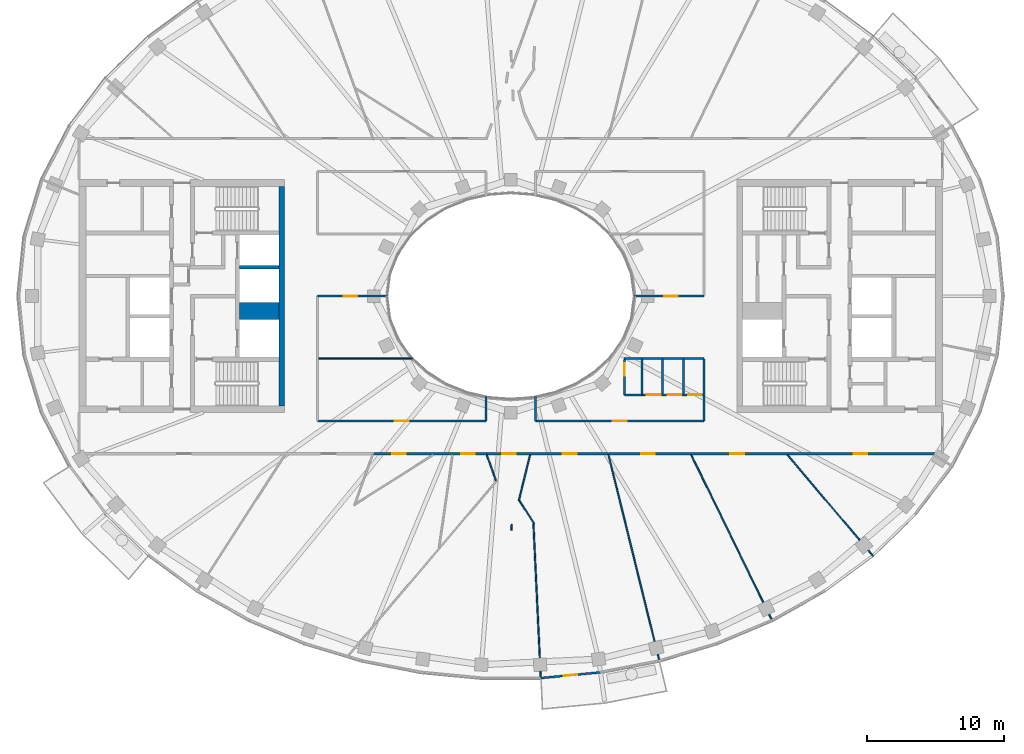
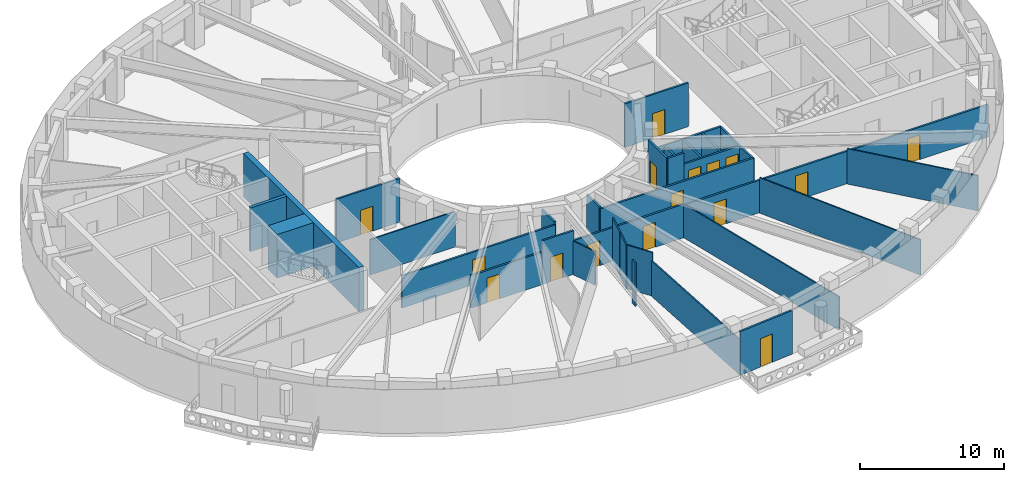
# One storey, part 4 of 16: 32 walls, 16 doors, 16 openings.
"""IFC4 building model written with IfcOpenShell, lengths in metres."""

from ifc_helpers import new_model, si_unit, direction, frame, frame_2d, origin, place, context, subcontext, project, spatial, rectangle, extrude, material, layer, layer_set, type_object, element, fill, save


model = new_model("IFC4")

# Units and contexts
model_context = context("Model", 3, precision=1e-05, world=origin(), true_north=direction((0.0, 1.0)))
body_context = subcontext(model_context, "Body", "Model", "MODEL_VIEW")
ifc_project = project(units=[si_unit("LENGTHUNIT", "METRE"), si_unit("AREAUNIT", "SQUARE_METRE"), si_unit("VOLUMEUNIT", "CUBIC_METRE"), si_unit("PLANEANGLEUNIT", "RADIAN"), si_unit("MASSUNIT", "GRAM", prefix="KILO")], contexts=[model_context])

# Site, building, storey
site_placement = place(None, origin())
site = spatial("IfcSite", under=ifc_project, at=site_placement, CompositionType="ELEMENT")
building_placement = place(site_placement, origin())
building = spatial("IfcBuilding", under=site, at=building_placement, Name="Noorbagh Ring Tower", CompositionType="ELEMENT")
storey_placement = place(building_placement, frame((0.0, 0.0, 311.0)))
storey = spatial("IfcBuildingStorey", under=building, at=storey_placement, Name="L67", CompositionType="ELEMENT", Elevation=311.0)

# Wall, opening, door
ifc_material_1 = material(Name="Gypsum board on steel studs", Category="steel")
ifc_layer_1 = layer(ifc_material_1, 0.14990234375)
ifc_layer_set_1 = layer_set([ifc_layer_1], Name="Gypsum board on steel studs")
wall_type_1 = type_object("IfcWallType", Name="COMPARTMENT PARTITION 150 EI 60", PredefinedType="PARTITIONING", material=ifc_layer_set_1)
wall_1_placement = place(storey_placement, frame((8.300048828125, -7.199951171875, 0.0), z_axis=(0.0, 0.0, 1.0), x_axis=(0.0, 1.0, 0.0)))
wall_1 = element("IfcWall", 1, at=wall_1_placement, inside=storey, type_object=wall_type_1, Name="L67/wall/P57", PredefinedType="PARTITIONING", context=body_context, shape_type="SweptSolid", body=[
    extrude(rectangle(XDim=2.595947265625, YDim=0.14990234375, at=frame_2d((1.2978515625, 0.0))), origin(), (0.0, 0.0, 1.0), 3.699951171875),
])
opening_1_placement = place(wall_1_placement, frame((1.39990234375, 0.0, 0.0)))
opening_1 = element("IfcOpeningElement", 2, at=opening_1_placement, cuts=wall_1, Name="Opening D4", PredefinedType="OPENING", context=body_context, shape_type="SweptSolid", body=[
    extrude(rectangle(XDim=0.89990234375, YDim=2.10009765625, at=frame_2d((0.449951171875, 1.050048828125))), frame((0.0, 0.0849609375, 0.0), z_axis=(0.0, -1.0, 0.0), x_axis=(1.0, 0.0, 0.0)), (0.0, 0.0, 1.0), 0.169921875),
])
ifc_material_2 = material(Name="Timber, painted", Category="wood")
door_type_1 = type_object("IfcDoorType", Name="DOOR 900 X 2100 FD60", OperationType="SINGLE_SWING_LEFT", PredefinedType="DOOR", material=ifc_material_2)
door_1_placement = place(opening_1_placement, origin())
door_1 = element("IfcDoor", 3, at=door_1_placement, inside=storey, type_object=door_type_1, Name="L67-D05", OperationType="SINGLE_SWING_RIGHT", OverallHeight=2.10009765625, OverallWidth=0.89990234375, PredefinedType="DOOR", context=body_context, shape_type="SweptSolid", body=[
    extrude(rectangle(XDim=0.89990234375, YDim=2.10009765625, at=frame_2d((0.449951171875, 1.050048828125))), frame((0.0, 0.02490234375, 0.0), z_axis=(0.0, -1.0, 0.0), x_axis=(1.0, 0.0, 0.0)), (0.0, 0.0, 1.0), 0.050048828125),
])
fill(opening_1, door_1)

# Walls
wall_2_placement = place(storey_placement, frame((8.300048828125, -7.199951171875, 0.0), z_axis=(0.0, 0.0, 1.0), x_axis=(1.0, 0.0, 0.0)))
element("IfcWall", 4, at=wall_2_placement, inside=storey, type_object=wall_type_1, Name="L67/wall/P58", PredefinedType="PARTITIONING", context=body_context, shape_type="SweptSolid", body=[
    extrude(rectangle(XDim=1.27587890625, YDim=0.14990234375, at=frame_2d((0.637939453125, 0.0))), origin(), (0.0, 0.0, 1.0), 3.699951171875),
])
wall_3_placement = place(storey_placement, frame((9.575927734375, -7.199951171875, 0.0), z_axis=(0.0, 0.0, 1.0), x_axis=(0.0, 1.0, 0.0)))
element("IfcWall", 5, at=wall_3_placement, inside=storey, type_object=wall_type_1, Name="L67/wall/P60", PredefinedType="PARTITIONING", context=body_context, shape_type="SweptSolid", body=[
    extrude(rectangle(XDim=2.599853515625, YDim=0.14990234375, at=frame_2d((1.2998046875, 0.0))), origin(), (0.0, 0.0, 1.0), 2.75),
])
ifc_material_3 = material(Name="Concrete C50/60", Category="concrete")
ifc_layer_2 = layer(ifc_material_3, 1.25)
ifc_layer_set_2 = layer_set([ifc_layer_2], Name="Concrete C50/60")
wall_type_2 = type_object("IfcWallType", Name="CORE-WALL-1250-C50-60-EI120", PredefinedType="SHEAR", material=ifc_layer_set_2)
wall_4_placement = place(storey_placement, frame((-16.89990234375, -1.074951171875, 0.0), z_axis=(0.0, 0.0, 1.0), x_axis=(-1.0, 0.0, 0.0)))
element("IfcWall", 6, at=wall_4_placement, inside=storey, type_object=wall_type_2, Name="Core wall W", PredefinedType="SHEAR", context=body_context, shape_type="SweptSolid", body=[
    extrude(rectangle(XDim=2.900146484375, YDim=1.25, at=frame_2d((1.4501953125, 0.0))), origin(), (0.0, 0.0, 1.0), 3.699951171875),
])
ifc_material_4 = material(Name="Concrete C50/60", Category="concrete")
ifc_layer_3 = layer(ifc_material_4, 0.25)
ifc_layer_set_3 = layer_set([ifc_layer_3], Name="Concrete C50/60")
wall_type_3 = type_object("IfcWallType", Name="CORE-WALL-250-C50-60-EI120", PredefinedType="SHEAR", material=ifc_layer_set_3)
wall_5_placement = place(storey_placement, frame((-16.89990234375, 2.125, 0.0), z_axis=(0.0, 0.0, 1.0), x_axis=(-1.0, 0.0, 0.0)))
element("IfcWall", 7, at=wall_5_placement, inside=storey, type_object=wall_type_3, Name="Core wall W", PredefinedType="SHEAR", context=body_context, shape_type="SweptSolid", body=[
    extrude(rectangle(XDim=2.900146484375, YDim=0.25, at=frame_2d((1.4501953125, 0.0))), origin(), (0.0, 0.0, 1.0), 3.699951171875),
])
ifc_material_5 = material(Name="Concrete C50/60", Category="concrete")
ifc_layer_4 = layer(ifc_material_5, 0.39990234375)
ifc_layer_set_4 = layer_set([ifc_layer_4], Name="Concrete C50/60")
wall_type_4 = type_object("IfcWallType", Name="CORE-WALL-400-C50-60-EI240", PredefinedType="SHEAR", material=ifc_layer_set_4)
wall_6_placement = place(storey_placement, frame((-16.699951171875, -8.0, 0.0), z_axis=(0.0, 0.0, 1.0), x_axis=(0.0, 1.0, 0.0)))
element("IfcWall", 8, at=wall_6_placement, inside=storey, type_object=wall_type_4, Name="Core wall W", PredefinedType="SHEAR", context=body_context, shape_type="SweptSolid", body=[
    extrude(rectangle(XDim=16.0, YDim=0.39990234375, at=frame_2d((8.0, 0.0))), origin(), (0.0, 0.0, 1.0), 3.699951171875),
])

# Wall, opening, door
ifc_material_6 = material(Name="Gypsum board on steel studs", Category="steel")
ifc_layer_5 = layer(ifc_material_6, 0.14990234375)
ifc_layer_set_5 = layer_set([ifc_layer_5], Name="Gypsum board on steel studs")
wall_type_5 = type_object("IfcWallType", Name="CORRIDOR PARTITION 150 EI 30", PredefinedType="PARTITIONING", material=ifc_layer_set_5)
wall_7_placement = place(storey_placement, frame((-14.10009765625, -9.10009765625, 0.0), z_axis=(0.0, 0.0, 1.0), x_axis=(1.0, 0.0, 0.0)))
wall_7 = element("IfcWall", 9, at=wall_7_placement, inside=storey, type_object=wall_type_5, Name="L67/wall/P11", PredefinedType="PARTITIONING", context=body_context, shape_type="SweptSolid", body=[
    extrude(rectangle(XDim=12.300048828125, YDim=0.14990234375, at=frame_2d((6.14990234375, 0.0))), origin(), (0.0, 0.0, 1.0), 2.75),
])
opening_2_placement = place(wall_7_placement, frame((5.64990234375, 0.0, 0.0)))
opening_2 = element("IfcOpeningElement", 10, at=opening_2_placement, cuts=wall_7, Name="Opening D1", PredefinedType="OPENING", context=body_context, shape_type="SweptSolid", body=[
    extrude(rectangle(XDim=1.0, YDim=2.10009765625, at=frame_2d((0.5, 1.050048828125))), frame((0.0, 0.0849609375, 0.0), z_axis=(0.0, -1.0, 0.0), x_axis=(1.0, 0.0, 0.0)), (0.0, 0.0, 1.0), 0.169921875),
])
ifc_material_7 = material(Name="Timber, painted", Category="wood")
door_type_2 = type_object("IfcDoorType", Name="DOOR 1000 X 2100 FD30", OperationType="SINGLE_SWING_LEFT", PredefinedType="DOOR", material=ifc_material_7)
door_2_placement = place(opening_2_placement, origin())
door_2 = element("IfcDoor", 11, at=door_2_placement, inside=storey, type_object=door_type_2, Name="L67-D26", OperationType="SINGLE_SWING_RIGHT", OverallHeight=2.10009765625, OverallWidth=1.0, PredefinedType="DOOR", context=body_context, shape_type="SweptSolid", body=[
    extrude(rectangle(XDim=1.0, YDim=2.10009765625, at=frame_2d((0.5, 1.050048828125))), frame((0.0, 0.02490234375, 0.0), z_axis=(0.0, -1.0, 0.0), x_axis=(1.0, 0.0, 0.0)), (0.0, 0.0, 1.0), 0.050048828125),
])
fill(opening_2, door_2)

wall_8_placement = place(storey_placement, frame((-14.10009765625, 0.0, 0.0), z_axis=(0.0, 0.0, 1.0), x_axis=(1.0, 0.0, 0.0)))
wall_8 = element("IfcWall", 12, at=wall_8_placement, inside=storey, type_object=wall_type_5, Name="L67/wall/P13", PredefinedType="PARTITIONING", context=body_context, shape_type="SweptSolid", body=[
    extrude(rectangle(XDim=5.09521484375, YDim=0.14990234375, at=frame_2d((2.547607421875, 0.0))), origin(), (0.0, 0.0, 1.0), 3.699951171875),
])
opening_3_placement = place(wall_8_placement, frame((1.89990234375, 0.0, 0.0)))
opening_3 = element("IfcOpeningElement", 13, at=opening_3_placement, cuts=wall_8, Name="Opening D1", PredefinedType="OPENING", context=body_context, shape_type="SweptSolid", body=[
    extrude(rectangle(XDim=1.0, YDim=2.10009765625, at=frame_2d((0.5, 1.050048828125))), frame((0.0, 0.0849609375, 0.0), z_axis=(0.0, -1.0, 0.0), x_axis=(1.0, 0.0, 0.0)), (0.0, 0.0, 1.0), 0.169921875),
])
door_3_placement = place(opening_3_placement, origin())
door_3 = element("IfcDoor", 14, at=door_3_placement, inside=storey, type_object=door_type_2, Name="L67-D27", OperationType="SINGLE_SWING_LEFT", OverallHeight=2.10009765625, OverallWidth=1.0, PredefinedType="DOOR", context=body_context, shape_type="SweptSolid", body=[
    extrude(rectangle(XDim=1.0, YDim=2.10009765625, at=frame_2d((0.5, 1.050048828125))), frame((0.0, 0.02490234375, 0.0), z_axis=(0.0, -1.0, 0.0), x_axis=(1.0, 0.0, 0.0)), (0.0, 0.0, 1.0), 0.050048828125),
])
fill(opening_3, door_3)

wall_9_placement = place(storey_placement, frame((-10.0029296875, -11.5, 0.0), z_axis=(0.0, 0.0, 1.0), x_axis=(1.0, 0.0, 0.0)))
wall_9 = element("IfcWall", 15, at=wall_9_placement, inside=storey, type_object=wall_type_5, Name="L67/wall/P21", PredefinedType="PARTITIONING", context=body_context, shape_type="SweptSolid", body=[
    extrude(rectangle(XDim=5.740966796875, YDim=0.14990234375, at=frame_2d((2.87060546875, 0.0))), origin(), (0.0, 0.0, 1.0), 2.75),
])
opening_4_placement = place(wall_9_placement, frame((1.3349609375, 0.0, 0.0)))
opening_4 = element("IfcOpeningElement", 16, at=opening_4_placement, cuts=wall_9, Name="Opening D1", PredefinedType="OPENING", context=body_context, shape_type="SweptSolid", body=[
    extrude(rectangle(XDim=1.0, YDim=2.10009765625, at=frame_2d((0.5, 1.050048828125))), frame((0.0, 0.0849609375, 0.0), z_axis=(0.0, -1.0, 0.0), x_axis=(1.0, 0.0, 0.0)), (0.0, 0.0, 1.0), 0.169921875),
])
door_4_placement = place(opening_4_placement, origin())
door_4 = element("IfcDoor", 17, at=door_4_placement, inside=storey, type_object=door_type_2, Name="L67-D12", OperationType="SINGLE_SWING_LEFT", OverallHeight=2.10009765625, OverallWidth=1.0, PredefinedType="DOOR", context=body_context, shape_type="SweptSolid", body=[
    extrude(rectangle(XDim=1.0, YDim=2.10009765625, at=frame_2d((0.5, 1.050048828125))), frame((0.0, 0.02490234375, 0.0), z_axis=(0.0, -1.0, 0.0), x_axis=(1.0, 0.0, 0.0)), (0.0, 0.0, 1.0), 0.050048828125),
])
fill(opening_4, door_4)

wall_10_placement = place(storey_placement, frame((-4.241943359375, -11.5, 0.0), z_axis=(0.0, 0.0, 1.0), x_axis=(1.0, 0.0, 0.0)))
wall_10 = element("IfcWall", 18, at=wall_10_placement, inside=storey, type_object=wall_type_5, Name="L67/wall/P24", PredefinedType="PARTITIONING", context=body_context, shape_type="SweptSolid", body=[
    extrude(rectangle(XDim=2.510009765625, YDim=0.14990234375, at=frame_2d((1.2548828125, 0.0))), origin(), (0.0, 0.0, 1.0), 3.699951171875),
])
opening_5_placement = place(wall_10_placement, frame((0.6298828125, 0.0, 0.0)))
opening_5 = element("IfcOpeningElement", 19, at=opening_5_placement, cuts=wall_10, Name="Opening D1", PredefinedType="OPENING", context=body_context, shape_type="SweptSolid", body=[
    extrude(rectangle(XDim=1.0, YDim=2.10009765625, at=frame_2d((0.5, 1.050048828125))), frame((0.0, 0.0849609375, 0.0), z_axis=(0.0, -1.0, 0.0), x_axis=(1.0, 0.0, 0.0)), (0.0, 0.0, 1.0), 0.169921875),
])
door_5_placement = place(opening_5_placement, origin())
door_5 = element("IfcDoor", 20, at=door_5_placement, inside=storey, type_object=door_type_2, Name="L67-D15", OperationType="SINGLE_SWING_LEFT", OverallHeight=2.10009765625, OverallWidth=1.0, PredefinedType="DOOR", context=body_context, shape_type="SweptSolid", body=[
    extrude(rectangle(XDim=1.0, YDim=2.10009765625, at=frame_2d((0.5, 1.050048828125))), frame((0.0, 0.02490234375, 0.0), z_axis=(0.0, -1.0, 0.0), x_axis=(1.0, 0.0, 0.0)), (0.0, 0.0, 1.0), 0.050048828125),
])
fill(opening_5, door_5)

# Wall
wall_11_placement = place(storey_placement, frame((-1.800048828125, -9.10009765625, 0.0), z_axis=(0.0, 0.0, 1.0), x_axis=(0.0, 1.0, 0.0)))
element("IfcWall", 21, at=wall_11_placement, inside=storey, type_object=wall_type_5, Name="L67/wall/P25", PredefinedType="PARTITIONING", context=body_context, shape_type="SweptSolid", body=[
    extrude(rectangle(XDim=1.76416015625, YDim=0.14990234375, at=frame_2d((0.882080078125, 0.0))), origin(), (0.0, 0.0, 1.0), 3.0),
])

# Wall, openings, doors
wall_12_placement = place(storey_placement, frame((-1.77392578125, -11.5, 0.0), z_axis=(0.0, 0.0, 1.0), x_axis=(1.0, 0.0, 0.0)))
wall_12 = element("IfcWall", 22, at=wall_12_placement, inside=storey, type_object=wall_type_5, Name="L67/wall/P29", PredefinedType="PARTITIONING", context=body_context, shape_type="SweptSolid", body=[
    extrude(rectangle(XDim=8.885986328125, YDim=0.14990234375, at=frame_2d((4.44287109375, 0.0))), origin(), (0.0, 0.0, 1.0), 2.85009765625),
])
opening_6_placement = place(wall_12_placement, frame((1.138916015625, 0.0, 0.0)))
opening_6 = element("IfcOpeningElement", 23, at=opening_6_placement, cuts=wall_12, Name="Opening D1", PredefinedType="OPENING", context=body_context, shape_type="SweptSolid", body=[
    extrude(rectangle(XDim=1.0, YDim=2.10009765625, at=frame_2d((0.5, 1.050048828125))), frame((0.0, 0.0849609375, 0.0), z_axis=(0.0, -1.0, 0.0), x_axis=(1.0, 0.0, 0.0)), (0.0, 0.0, 1.0), 0.169921875),
])
opening_7_placement = place(wall_12_placement, frame((5.576904296875, 0.0, 0.0)))
opening_7 = element("IfcOpeningElement", 24, at=opening_7_placement, cuts=wall_12, Name="Opening D1", PredefinedType="OPENING", context=body_context, shape_type="SweptSolid", body=[
    extrude(rectangle(XDim=1.0, YDim=2.10009765625, at=frame_2d((0.5, 1.050048828125))), frame((0.0, 0.0849609375, 0.0), z_axis=(0.0, -1.0, 0.0), x_axis=(1.0, 0.0, 0.0)), (0.0, 0.0, 1.0), 0.169921875),
])
door_6_placement = place(opening_6_placement, origin())
door_6 = element("IfcDoor", 25, at=door_6_placement, inside=storey, type_object=door_type_2, Name="L67-D14", OperationType="SINGLE_SWING_RIGHT", OverallHeight=2.10009765625, OverallWidth=1.0, PredefinedType="DOOR", context=body_context, shape_type="SweptSolid", body=[
    extrude(rectangle(XDim=1.0, YDim=2.10009765625, at=frame_2d((0.5, 1.050048828125))), frame((0.0, 0.02490234375, 0.0), z_axis=(0.0, -1.0, 0.0), x_axis=(1.0, 0.0, 0.0)), (0.0, 0.0, 1.0), 0.050048828125),
])
fill(opening_6, door_6)
door_7_placement = place(opening_7_placement, origin())
door_7 = element("IfcDoor", 26, at=door_7_placement, inside=storey, type_object=door_type_2, Name="L67-D17", OperationType="SINGLE_SWING_LEFT", OverallHeight=2.10009765625, OverallWidth=1.0, PredefinedType="DOOR", context=body_context, shape_type="SweptSolid", body=[
    extrude(rectangle(XDim=1.0, YDim=2.10009765625, at=frame_2d((0.5, 1.050048828125))), frame((0.0, 0.02490234375, 0.0), z_axis=(0.0, -1.0, 0.0), x_axis=(1.0, 0.0, 0.0)), (0.0, 0.0, 1.0), 0.050048828125),
])
fill(opening_7, door_7)

# Wall
wall_13_placement = place(storey_placement, frame((1.800048828125, -9.10009765625, 0.0), z_axis=(0.0, 0.0, 1.0), x_axis=(0.0, 1.0, 0.0)))
element("IfcWall", 27, at=wall_13_placement, inside=storey, type_object=wall_type_5, Name="L67/wall/P45", PredefinedType="PARTITIONING", context=body_context, shape_type="SweptSolid", body=[
    extrude(rectangle(XDim=1.76416015625, YDim=0.14990234375, at=frame_2d((0.882080078125, 0.0))), origin(), (0.0, 0.0, 1.0), 3.0),
])

# Wall, opening, door
wall_14_placement = place(storey_placement, frame((1.800048828125, -9.10009765625, 0.0), z_axis=(0.0, 0.0, 1.0), x_axis=(1.0, 0.0, 0.0)))
wall_14 = element("IfcWall", 28, at=wall_14_placement, inside=storey, type_object=wall_type_5, Name="L67/wall/P46", PredefinedType="PARTITIONING", context=body_context, shape_type="SweptSolid", body=[
    extrude(rectangle(XDim=12.300048828125, YDim=0.14990234375, at=frame_2d((6.14990234375, 0.0))), origin(), (0.0, 0.0, 1.0), 2.85009765625),
])
opening_8_placement = place(wall_14_placement, frame((5.64990234375, 0.0, 0.0)))
opening_8 = element("IfcOpeningElement", 29, at=opening_8_placement, cuts=wall_14, Name="Opening D1", PredefinedType="OPENING", context=body_context, shape_type="SweptSolid", body=[
    extrude(rectangle(XDim=1.0, YDim=2.10009765625, at=frame_2d((0.5, 1.050048828125))), frame((0.0, 0.0849609375, 0.0), z_axis=(0.0, -1.0, 0.0), x_axis=(1.0, 0.0, 0.0)), (0.0, 0.0, 1.0), 0.169921875),
])
door_8_placement = place(opening_8_placement, origin())
door_8 = element("IfcDoor", 30, at=door_8_placement, inside=storey, type_object=door_type_2, Name="L67-D01", OperationType="SINGLE_SWING_LEFT", OverallHeight=2.10009765625, OverallWidth=1.0, PredefinedType="DOOR", context=body_context, shape_type="SweptSolid", body=[
    extrude(rectangle(XDim=1.0, YDim=2.10009765625, at=frame_2d((0.5, 1.050048828125))), frame((0.0, 0.02490234375, 0.0), z_axis=(0.0, -1.0, 0.0), x_axis=(1.0, 0.0, 0.0)), (0.0, 0.0, 1.0), 0.050048828125),
])
fill(opening_8, door_8)

# Wall, openings, doors
wall_15_placement = place(storey_placement, frame((7.12890625, -11.5, 0.0), z_axis=(0.0, 0.0, 1.0), x_axis=(1.0, 0.0, 0.0)))
wall_15 = element("IfcWall", 31, at=wall_15_placement, inside=storey, type_object=wall_type_5, Name="L67/wall/P53", PredefinedType="PARTITIONING", context=body_context, shape_type="SweptSolid", body=[
    extrude(rectangle(XDim=24.37109375, YDim=0.14990234375, at=frame_2d((12.185546875, 0.0))), origin(), (0.0, 0.0, 1.0), 2.75),
])
opening_9_placement = place(wall_15_placement, frame((2.383056640625, 0.0, 0.0)))
opening_9 = element("IfcOpeningElement", 32, at=opening_9_placement, cuts=wall_15, Name="Opening D1", PredefinedType="OPENING", context=body_context, shape_type="SweptSolid", body=[
    extrude(rectangle(XDim=1.0, YDim=2.10009765625, at=frame_2d((0.5, 1.050048828125))), frame((0.0, 0.0849609375, 0.0), z_axis=(0.0, -1.0, 0.0), x_axis=(1.0, 0.0, 0.0)), (0.0, 0.0, 1.0), 0.169921875),
])
opening_10_placement = place(wall_15_placement, frame((8.89990234375, 0.0, 0.0)))
opening_10 = element("IfcOpeningElement", 33, at=opening_10_placement, cuts=wall_15, Name="Opening D1", PredefinedType="OPENING", context=body_context, shape_type="SweptSolid", body=[
    extrude(rectangle(XDim=1.0, YDim=2.10009765625, at=frame_2d((0.5, 1.050048828125))), frame((0.0, 0.0849609375, 0.0), z_axis=(0.0, -1.0, 0.0), x_axis=(1.0, 0.0, 0.0)), (0.0, 0.0, 1.0), 0.169921875),
])
opening_11_placement = place(wall_15_placement, frame((17.89404296875, 0.0, 0.0)))
opening_11 = element("IfcOpeningElement", 34, at=opening_11_placement, cuts=wall_15, Name="Opening D1", PredefinedType="OPENING", context=body_context, shape_type="SweptSolid", body=[
    extrude(rectangle(XDim=1.0, YDim=2.10009765625, at=frame_2d((0.5, 1.050048828125))), frame((0.0, 0.0849609375, 0.0), z_axis=(0.0, -1.0, 0.0), x_axis=(1.0, 0.0, 0.0)), (0.0, 0.0, 1.0), 0.169921875),
])
door_9_placement = place(opening_9_placement, origin())
door_9 = element("IfcDoor", 35, at=door_9_placement, inside=storey, type_object=door_type_2, Name="L67-D18", OperationType="SINGLE_SWING_RIGHT", OverallHeight=2.10009765625, OverallWidth=1.0, PredefinedType="DOOR", context=body_context, shape_type="SweptSolid", body=[
    extrude(rectangle(XDim=1.0, YDim=2.10009765625, at=frame_2d((0.5, 1.050048828125))), frame((0.0, 0.02490234375, 0.0), z_axis=(0.0, -1.0, 0.0), x_axis=(1.0, 0.0, 0.0)), (0.0, 0.0, 1.0), 0.050048828125),
])
fill(opening_9, door_9)
door_10_placement = place(opening_10_placement, origin())
door_10 = element("IfcDoor", 36, at=door_10_placement, inside=storey, type_object=door_type_2, Name="L67-D20", OperationType="SINGLE_SWING_RIGHT", OverallHeight=2.10009765625, OverallWidth=1.0, PredefinedType="DOOR", context=body_context, shape_type="SweptSolid", body=[
    extrude(rectangle(XDim=1.0, YDim=2.10009765625, at=frame_2d((0.5, 1.050048828125))), frame((0.0, 0.02490234375, 0.0), z_axis=(0.0, -1.0, 0.0), x_axis=(1.0, 0.0, 0.0)), (0.0, 0.0, 1.0), 0.050048828125),
])
fill(opening_10, door_10)
door_11_placement = place(opening_11_placement, origin())
door_11 = element("IfcDoor", 37, at=door_11_placement, inside=storey, type_object=door_type_2, Name="L67-D22", OperationType="SINGLE_SWING_RIGHT", OverallHeight=2.10009765625, OverallWidth=1.0, PredefinedType="DOOR", context=body_context, shape_type="SweptSolid", body=[
    extrude(rectangle(XDim=1.0, YDim=2.10009765625, at=frame_2d((0.5, 1.050048828125))), frame((0.0, 0.02490234375, 0.0), z_axis=(0.0, -1.0, 0.0), x_axis=(1.0, 0.0, 0.0)), (0.0, 0.0, 1.0), 0.050048828125),
])
fill(opening_11, door_11)

# Wall
wall_16_placement = place(storey_placement, frame((8.27099609375, -4.550048828125, 0.0), z_axis=(0.0, 0.0, 1.0), x_axis=(1.0, 0.0, 0.0)))
element("IfcWall", 38, at=wall_16_placement, inside=storey, type_object=wall_type_5, Name="L67/wall/P56", PredefinedType="PARTITIONING", context=body_context, shape_type="SweptSolid", body=[
    extrude(rectangle(XDim=5.8291015625, YDim=0.14990234375, at=frame_2d((2.91455078125, 0.0))), origin(), (0.0, 0.0, 1.0), 2.75),
])

# Wall, opening, door
wall_17_placement = place(storey_placement, frame((9.0048828125, 0.0, 0.0), z_axis=(0.0, 0.0, 1.0), x_axis=(1.0, 0.0, 0.0)))
wall_17 = element("IfcWall", 39, at=wall_17_placement, inside=storey, type_object=wall_type_5, Name="L67/wall/P59", PredefinedType="PARTITIONING", context=body_context, shape_type="SweptSolid", body=[
    extrude(rectangle(XDim=5.09521484375, YDim=0.14990234375, at=frame_2d((2.547607421875, 0.0))), origin(), (0.0, 0.0, 1.0), 3.699951171875),
])
opening_12_placement = place(wall_17_placement, frame((2.195068359375, 0.0, 0.0)))
opening_12 = element("IfcOpeningElement", 40, at=opening_12_placement, cuts=wall_17, Name="Opening D1", PredefinedType="OPENING", context=body_context, shape_type="SweptSolid", body=[
    extrude(rectangle(XDim=1.0, YDim=2.10009765625, at=frame_2d((0.5, 1.050048828125))), frame((0.0, 0.0849609375, 0.0), z_axis=(0.0, -1.0, 0.0), x_axis=(1.0, 0.0, 0.0)), (0.0, 0.0, 1.0), 0.169921875),
])
door_12_placement = place(opening_12_placement, origin())
door_12 = element("IfcDoor", 41, at=door_12_placement, inside=storey, type_object=door_type_2, Name="L67-D30", OperationType="SINGLE_SWING_RIGHT", OverallHeight=2.10009765625, OverallWidth=1.0, PredefinedType="DOOR", context=body_context, shape_type="SweptSolid", body=[
    extrude(rectangle(XDim=1.0, YDim=2.10009765625, at=frame_2d((0.5, 1.050048828125))), frame((0.0, 0.02490234375, 0.0), z_axis=(0.0, -1.0, 0.0), x_axis=(1.0, 0.0, 0.0)), (0.0, 0.0, 1.0), 0.050048828125),
])
fill(opening_12, door_12)

# Wall, openings, doors
wall_18_placement = place(storey_placement, frame((9.575927734375, -7.199951171875, 0.0), z_axis=(0.0, 0.0, 1.0), x_axis=(1.0, 0.0, 0.0)))
wall_18 = element("IfcWall", 42, at=wall_18_placement, inside=storey, type_object=wall_type_5, Name="L67/wall/P61", PredefinedType="PARTITIONING", context=body_context, shape_type="SweptSolid", body=[
    extrude(rectangle(XDim=4.448974609375, YDim=0.14990234375, at=frame_2d((2.224609375, 0.0))), origin(), (0.0, 0.0, 1.0), 2.75),
])
opening_13_placement = place(wall_18_placement, frame((3.3740234375, 0.0, 0.0)))
opening_13 = element("IfcOpeningElement", 43, at=opening_13_placement, cuts=wall_18, Name="Opening D3", PredefinedType="OPENING", context=body_context, shape_type="SweptSolid", body=[
    extrude(rectangle(XDim=1.0, YDim=2.10009765625, at=frame_2d((0.5, 1.050048828125))), frame((0.0, 0.0849609375, 0.0), z_axis=(0.0, -1.0, 0.0), x_axis=(1.0, 0.0, 0.0)), (0.0, 0.0, 1.0), 0.169921875),
])
opening_14_placement = place(wall_18_placement, frame((1.865966796875, 0.0, 0.0)))
opening_14 = element("IfcOpeningElement", 44, at=opening_14_placement, cuts=wall_18, Name="Opening D3", PredefinedType="OPENING", context=body_context, shape_type="SweptSolid", body=[
    extrude(rectangle(XDim=1.0, YDim=2.10009765625, at=frame_2d((0.5, 1.050048828125))), frame((0.0, 0.0849609375, 0.0), z_axis=(0.0, -1.0, 0.0), x_axis=(1.0, 0.0, 0.0)), (0.0, 0.0, 1.0), 0.169921875),
])
opening_15_placement = place(wall_18_placement, frame((0.35791015625, 0.0, 0.0)))
opening_15 = element("IfcOpeningElement", 45, at=opening_15_placement, cuts=wall_18, Name="Opening D3", PredefinedType="OPENING", context=body_context, shape_type="SweptSolid", body=[
    extrude(rectangle(XDim=1.0, YDim=2.10009765625, at=frame_2d((0.5, 1.050048828125))), frame((0.0, 0.0849609375, 0.0), z_axis=(0.0, -1.0, 0.0), x_axis=(1.0, 0.0, 0.0)), (0.0, 0.0, 1.0), 0.169921875),
])
ifc_material_8 = material(Name="Timber, painted", Category="wood")
door_type_3 = type_object("IfcDoorType", Name="DOOR 1000 X 2100 WC", OperationType="SINGLE_SWING_LEFT", PredefinedType="DOOR", material=ifc_material_8)
door_13_placement = place(opening_13_placement, origin())
door_13 = element("IfcDoor", 46, at=door_13_placement, inside=storey, type_object=door_type_3, Name="L67-D02", OperationType="SINGLE_SWING_RIGHT", OverallHeight=2.10009765625, OverallWidth=1.0, PredefinedType="DOOR", context=body_context, shape_type="SweptSolid", body=[
    extrude(rectangle(XDim=1.0, YDim=2.10009765625, at=frame_2d((0.5, 1.050048828125))), frame((0.0, 0.02490234375, 0.0), z_axis=(0.0, -1.0, 0.0), x_axis=(1.0, 0.0, 0.0)), (0.0, 0.0, 1.0), 0.050048828125),
])
fill(opening_13, door_13)
door_14_placement = place(opening_14_placement, origin())
door_14 = element("IfcDoor", 47, at=door_14_placement, inside=storey, type_object=door_type_3, Name="L67-D03", OperationType="SINGLE_SWING_LEFT", OverallHeight=2.10009765625, OverallWidth=1.0, PredefinedType="DOOR", context=body_context, shape_type="SweptSolid", body=[
    extrude(rectangle(XDim=1.0, YDim=2.10009765625, at=frame_2d((0.5, 1.050048828125))), frame((0.0, 0.02490234375, 0.0), z_axis=(0.0, -1.0, 0.0), x_axis=(1.0, 0.0, 0.0)), (0.0, 0.0, 1.0), 0.050048828125),
])
fill(opening_14, door_14)
door_15_placement = place(opening_15_placement, origin())
door_15 = element("IfcDoor", 48, at=door_15_placement, inside=storey, type_object=door_type_3, Name="L67-D04", OperationType="SINGLE_SWING_RIGHT", OverallHeight=2.10009765625, OverallWidth=1.0, PredefinedType="DOOR", context=body_context, shape_type="SweptSolid", body=[
    extrude(rectangle(XDim=1.0, YDim=2.10009765625, at=frame_2d((0.5, 1.050048828125))), frame((0.0, 0.02490234375, 0.0), z_axis=(0.0, -1.0, 0.0), x_axis=(1.0, 0.0, 0.0)), (0.0, 0.0, 1.0), 0.050048828125),
])
fill(opening_15, door_15)

# Walls
for number, where, z_axis, x_axis, name in (
    (49, (11.083984375, -7.125, 0.0), (0.0, 0.0, 1.0), (0.0, 1.0, 0.0), "L67/wall/P62"),
    (50, (12.592041015625, -7.125, 0.0), (0.0, 0.0, 1.0), (0.0, 1.0, 0.0), "L67/wall/P63"),
):
    element("IfcWall", number, at=place(storey_placement, frame(where, z_axis=z_axis, x_axis=x_axis)), inside=storey, type_object=wall_type_5, Name=name, PredefinedType="PARTITIONING", context=body_context, shape_type="SweptSolid", body=[
        extrude(rectangle(XDim=2.52490234375, YDim=0.14990234375, at=frame_2d((1.262451171875, 0.0))), origin(), (0.0, 0.0, 1.0), 2.75),
    ])
wall_19_placement = place(storey_placement, frame((14.10009765625, -9.10009765625, 0.0), z_axis=(0.0, 0.0, 1.0), x_axis=(0.0, 1.0, 0.0)))
element("IfcWall", 51, at=wall_19_placement, inside=storey, type_object=wall_type_5, Name="L67/wall/P66", PredefinedType="PARTITIONING", context=body_context, shape_type="SweptSolid", body=[
    extrude(rectangle(XDim=4.5, YDim=0.14990234375, at=frame_2d((2.25, 0.0))), origin(), (0.0, 0.0, 1.0), 2.75),
])

# Wall, opening, door
ifc_material_9 = material(Name="Insulated aluminium clad panel", Category="aluminium")
ifc_layer_6 = layer(ifc_material_9, 0.14990234375)
ifc_layer_set_6 = layer_set([ifc_layer_6], Name="Insulated aluminium clad panel")
wall_type_6 = type_object("IfcWallType", Name="ENV-WALL-DOOR", PredefinedType="STANDARD", material=ifc_layer_set_6)
wall_20_placement = place(storey_placement, frame((2.166259765625, -27.875244140625, 0.0), z_axis=(0.0, 0.0, 1.0), x_axis=(0.995473879823, 0.095035543824, 0.0)))
wall_20 = element("IfcWall", 52, at=wall_20_placement, inside=storey, type_object=wall_type_6, Name="Balcony door wall chord 36", PredefinedType="STANDARD", context=body_context, shape_type="SweptSolid", body=[
    extrude(rectangle(XDim=4.42626953125, YDim=0.14990234375, at=frame_2d((2.213134765625, 0.0))), origin(), (0.0, 0.0, 1.0), 3.699951171875),
])
opening_16_placement = place(wall_20_placement, frame((1.713134765625, 0.0, 0.0)))
opening_16 = element("IfcOpeningElement", 53, at=opening_16_placement, cuts=wall_20, Name="Opening D-BL", PredefinedType="OPENING", context=body_context, shape_type="SweptSolid", body=[
    extrude(rectangle(XDim=1.0, YDim=2.39990234375, at=frame_2d((0.5, 1.199951171875))), frame((0.0, 0.0849609375, 0.0), z_axis=(0.0, -1.0, 0.0), x_axis=(1.0, 0.0, 0.0)), (0.0, 0.0, 1.0), 0.169921875),
])
ifc_material_10 = material(Name="Aluminium and glass", Category="aluminium")
door_type_4 = type_object("IfcDoorType", Name="ENV-DOOR-BALCONY", OperationType="SINGLE_SWING_LEFT", PredefinedType="DOOR", material=ifc_material_10)
door_16_placement = place(opening_16_placement, origin())
door_16 = element("IfcDoor", 54, at=door_16_placement, inside=storey, type_object=door_type_4, Name="Balcony door chord 36", OperationType="SINGLE_SWING_RIGHT", OverallHeight=2.39990234375, OverallWidth=1.0, PredefinedType="DOOR", context=body_context, shape_type="SweptSolid", body=[
    extrude(rectangle(XDim=1.0, YDim=2.39990234375, at=frame_2d((0.5, 1.199951171875))), frame((0.0, 0.02490234375, 0.0), z_axis=(0.0, -1.0, 0.0), x_axis=(1.0, 0.0, 0.0)), (0.0, 0.0, 1.0), 0.050048828125),
])
fill(opening_16, door_16)

# Walls
ifc_material_11 = material(Name="Gypsum board on steel studs", Category="steel")
ifc_layer_7 = layer(ifc_material_11, 0.10009765625)
ifc_layer_set_7 = layer_set([ifc_layer_7], Name="Gypsum board on steel studs")
wall_type_7 = type_object("IfcWallType", Name="PARTITION 100 GYPSUM", PredefinedType="PARTITIONING", material=ifc_layer_set_7)
wall_21_placement = place(storey_placement, frame((-14.02490234375, -4.550048828125, 0.0), z_axis=(0.0, 0.0, 1.0), x_axis=(1.0, 0.0, 0.0)))
element("IfcWall", 55, at=wall_21_placement, inside=storey, type_object=wall_type_7, Name="L67/wall/P12", PredefinedType="PARTITIONING", context=body_context, shape_type="SweptSolid", body=[
    extrude(rectangle(XDim=6.850830078125, YDim=0.10009765625, at=frame_2d((3.42529296875, 0.0))), origin(), (0.0, 0.0, 1.0), 3.0),
])
wall_22_placement = place(storey_placement, frame((-1.757080078125, -11.5791015625, 0.0), z_axis=(0.0, 0.0, 1.0), x_axis=(0.338380447297, -0.941009390435, 0.0)))
element("IfcWall", 56, at=wall_22_placement, inside=storey, type_object=wall_type_7, Name="L67/wall/P27", PredefinedType="PARTITIONING", context=body_context, shape_type="SweptSolid", body=[
    extrude(rectangle(XDim=1.9892578125, YDim=0.10009765625, at=frame_2d((0.99462890625, 0.0))), origin(), (0.0, 0.0, 1.0), 2.85009765625),
])
wall_23_placement = place(storey_placement, frame((0.049072265625, -17.0810546875, 0.0), z_axis=(0.0, 0.0, 1.0), x_axis=(0.047263912187, 0.998882436829, 0.0)))
element("IfcWall", 57, at=wall_23_placement, inside=storey, type_object=wall_type_7, Name="L67/wall/P33", PredefinedType="PARTITIONING", context=body_context, shape_type="SweptSolid", body=[
    extrude(rectangle(XDim=0.423583984375, YDim=0.10009765625, at=frame_2d((0.2119140625, 0.0))), origin(), (0.0, 0.0, 1.0), 3.699951171875),
])
wall_24_placement = place(storey_placement, frame((0.58203125, -14.94091796875, 0.0), z_axis=(0.0, 0.0, 1.0), x_axis=(0.239198168936, 0.970970769888, 0.0)))
element("IfcWall", 58, at=wall_24_placement, inside=storey, type_object=wall_type_7, Name="L67/wall/P36", PredefinedType="PARTITIONING", context=body_context, shape_type="SweptSolid", body=[
    extrude(rectangle(XDim=1.601318359375, YDim=0.10009765625, at=frame_2d((0.80078125, 0.0))), origin(), (0.0, 0.0, 1.0), 3.699951171875),
])
wall_25_placement = place(storey_placement, frame((0.635009765625, -14.931884765625, 0.0), z_axis=(0.0, 0.0, 1.0), x_axis=(0.542268183011, -0.840205461595, 0.0)))
element("IfcWall", 59, at=wall_25_placement, inside=storey, type_object=wall_type_7, Name="L67/wall/P37", PredefinedType="PARTITIONING", context=body_context, shape_type="SweptSolid", body=[
    extrude(rectangle(XDim=1.967529296875, YDim=0.10009765625, at=frame_2d((0.98388671875, 0.0))), origin(), (0.0, 0.0, 1.0), 3.699951171875),
])
wall_26_placement = place(storey_placement, frame((0.968994140625, -13.368896484375, 0.0), z_axis=(0.0, 0.0, 1.0), x_axis=(0.239699020522, 0.970847248315, 0.0)))
element("IfcWall", 60, at=wall_26_placement, inside=storey, type_object=wall_type_7, Name="L67/wall/P41", PredefinedType="PARTITIONING", context=body_context, shape_type="SweptSolid", body=[
    extrude(rectangle(XDim=1.843505859375, YDim=0.10009765625, at=frame_2d((0.921875, 0.0))), origin(), (0.0, 0.0, 1.0), 3.699951171875),
])
wall_27_placement = place(storey_placement, frame((1.654052734375, -16.60107421875, 0.0), z_axis=(0.0, 0.0, 1.0), x_axis=(0.047383612141, -0.998876765823, 0.0)))
element("IfcWall", 61, at=wall_27_placement, inside=storey, type_object=wall_type_7, Name="L67/wall/P44", PredefinedType="PARTITIONING", context=body_context, shape_type="SweptSolid", body=[
    extrude(rectangle(XDim=11.3095703125, YDim=0.10009765625, at=frame_2d((5.65478515625, 0.0))), origin(), (0.0, 0.0, 1.0), 3.0),
])
wall_28_placement = place(storey_placement, frame((7.112060546875, -11.5, 0.0), z_axis=(0.0, 0.0, 1.0), x_axis=(0.239846808941, -0.970810747901, 0.0)))
element("IfcWall", 62, at=wall_28_placement, inside=storey, type_object=wall_type_7, Name="L67/wall/P51", PredefinedType="PARTITIONING", context=body_context, shape_type="SweptSolid", body=[
    extrude(rectangle(XDim=15.601318359375, YDim=0.10009765625, at=frame_2d((7.80078125, 0.0))), origin(), (0.0, 0.0, 1.0), 2.85009765625),
])
wall_29_placement = place(storey_placement, frame((13.1669921875, -11.5791015625, 0.0), z_axis=(0.0, 0.0, 1.0), x_axis=(0.439238726833, -0.898370380661, 0.0)))
element("IfcWall", 63, at=wall_29_placement, inside=storey, type_object=wall_type_7, Name="L67/wall/P64", PredefinedType="PARTITIONING", context=body_context, shape_type="SweptSolid", body=[
    extrude(rectangle(XDim=13.475341796875, YDim=0.10009765625, at=frame_2d((6.73779296875, 0.0))), origin(), (0.0, 0.0, 1.0), 3.0),
])
wall_30_placement = place(storey_placement, frame((20.18896484375, -11.577880859375, 0.0), z_axis=(0.0, 0.0, 1.0), x_axis=(0.646376264927, -0.763018822926, 0.0)))
element("IfcWall", 64, at=wall_30_placement, inside=storey, type_object=wall_type_7, Name="L67/wall/P68", PredefinedType="PARTITIONING", context=body_context, shape_type="SweptSolid", body=[
    extrude(rectangle(XDim=9.6552734375, YDim=0.10009765625, at=frame_2d((4.82763671875, 0.0))), origin(), (0.0, 0.0, 1.0), 3.0),
])

save(model, "model.ifc")
